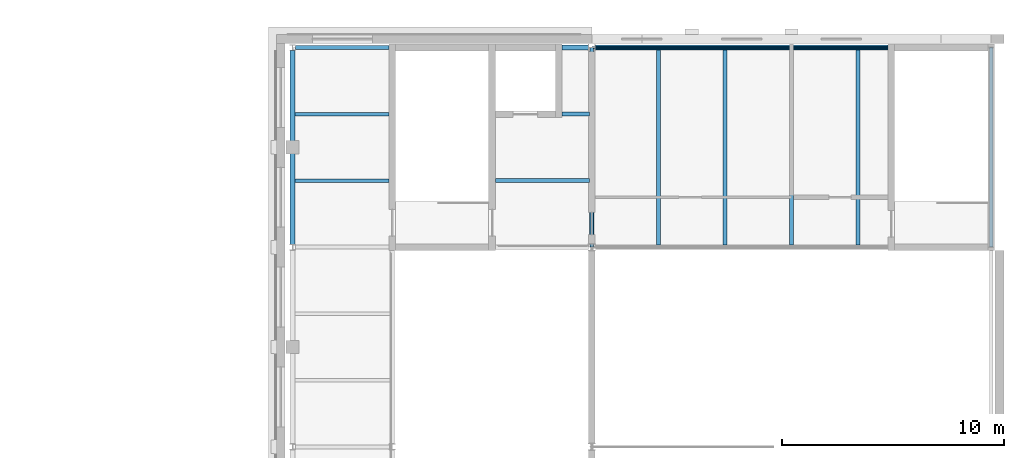
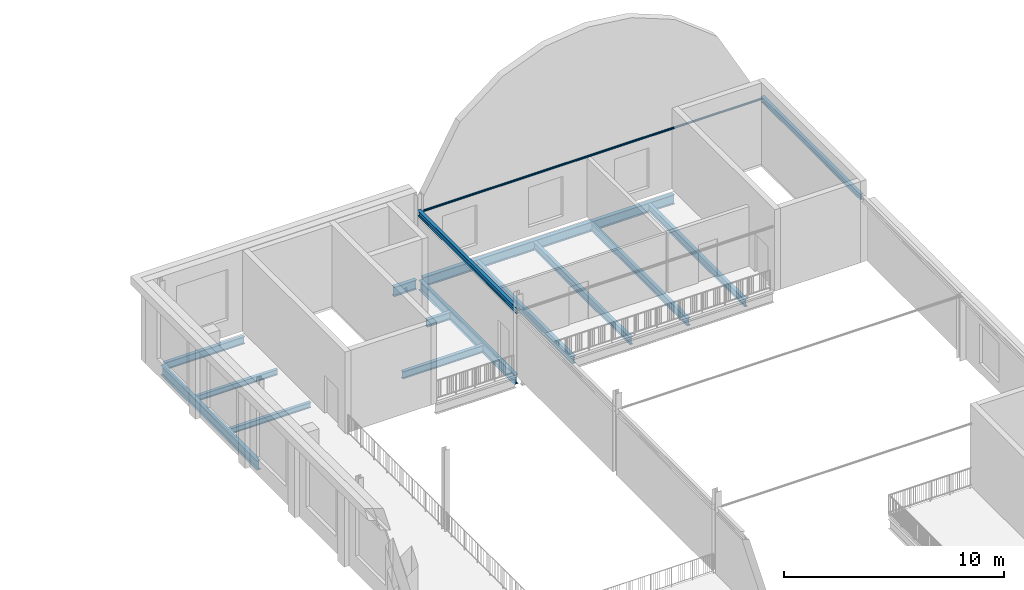
# One storey, part 16 of 59: 15 beams, 1 member.
"""IFC4 building model written with IfcOpenShell, lengths in metres."""

from ifc_helpers import new_model, si_unit, direction, frame, origin, origin_2d, place, context, subcontext, project, spatial, hollow_circle, i_section, extrude, material, material_profile, profile_set, type_object, element, save


model = new_model("IFC4")

# Units and contexts
model_context = context("Model", 3, precision=1e-05, world=origin(), true_north=direction((0.0, 1.0)))
body_context = subcontext(model_context, "Body", "Model", "MODEL_VIEW")
ifc_project = project(units=[si_unit("LENGTHUNIT", "METRE"), si_unit("AREAUNIT", "SQUARE_METRE"), si_unit("VOLUMEUNIT", "CUBIC_METRE"), si_unit("PLANEANGLEUNIT", "RADIAN"), si_unit("MASSUNIT", "GRAM", prefix="KILO")], contexts=[model_context])

# Site, building, storey
site_placement = place(None, origin())
site = spatial("IfcSite", under=ifc_project, at=site_placement, CompositionType="ELEMENT")
building_placement = place(site_placement, origin())
building = spatial("IfcBuilding", under=site, at=building_placement, Name="Hortulan Conservatory and Botanical Research Centre", CompositionType="ELEMENT")
storey_placement = place(building_placement, frame((0.0, 0.0, 10.5)))
storey = spatial("IfcBuildingStorey", under=building, at=storey_placement, Name="L02", CompositionType="ELEMENT", Elevation=10.5)

# Beams
ifc_material_1 = material(Name="Steel Grade 300PLUS (AS/NZS 3679.1, 280 MPa minimum yield)", Category="steel")
ifc_material_profile_1 = material_profile(ifc_material_1, i_section(OverallWidth=0.177978515625, OverallDepth=0.403076171875, WebThickness=0.007568359375, FlangeThickness=0.010986328125, FilletRadius=0.011474609375, at=origin_2d()), Name="410UB53.7")
ifc_profile_set_1 = profile_set([ifc_material_profile_1], Name="Steel Grade 300PLUS (AS/NZS 3679.1, 280 MPa minimum yield)")
beam_type_1 = type_object("IfcBeamType", Name="Primary Beam 410UB53.7", PredefinedType="BEAM", material=ifc_profile_set_1)
beam_1_placement = place(storey_placement, frame((76.6279296875, 72.0, -0.33154296875), z_axis=(1.0, 0.0, 0.0), x_axis=(0.0, 1.0, 0.0)))
element("IfcBeam", 1, at=beam_1_placement, inside=storey, type_object=beam_type_1, Name="410UB53.7 girder", PredefinedType="BEAM", context=body_context, shape_type="SweptSolid", body=[
    extrude(i_section(OverallWidth=0.177978515625, OverallDepth=0.403076171875, WebThickness=0.007568359375, FlangeThickness=0.010986328125, FilletRadius=0.011474609375, at=origin_2d()), origin(), (0.0, 0.0, 1.0), 4.22216796875),
])
ifc_material_profile_2 = material_profile(ifc_material_1, i_section(OverallWidth=0.208984375, OverallDepth=0.528076171875, WebThickness=0.009521484375, FlangeThickness=0.01318359375, FilletRadius=0.013916015625, at=origin_2d()), Name="530UB82.0")
ifc_profile_set_2 = profile_set([ifc_material_profile_2], Name="Steel Grade 300PLUS (AS/NZS 3679.1, 280 MPa minimum yield)")
beam_type_2 = type_object("IfcBeamType", Name="Primary Beam 530UB82.0", PredefinedType="BEAM", material=ifc_profile_set_2)
beam_2_placement = place(storey_placement, frame((76.5, 63.1298828125, -0.39404296875), z_axis=(0.0, 1.0, 0.0), x_axis=(-1.0, 0.0, 0.0)))
element("IfcBeam", 2, at=beam_2_placement, inside=storey, type_object=beam_type_2, Name="530UB82.0 girder", PredefinedType="BEAM", context=body_context, shape_type="SweptSolid", body=[
    extrude(i_section(OverallWidth=0.208984375, OverallDepth=0.528076171875, WebThickness=0.009521484375, FlangeThickness=0.01318359375, FilletRadius=0.013916015625, at=origin_2d()), origin(), (0.0, 0.0, 1.0), 8.740234375),
])
beam_3_placement = place(storey_placement, frame((88.64990234375, 72.0, -0.39404296875), z_axis=(1.0, 0.0, 0.0), x_axis=(0.0, 1.0, 0.0)))
element("IfcBeam", 3, at=beam_3_placement, inside=storey, type_object=beam_type_2, Name="530UB82.0 girder", PredefinedType="BEAM", context=body_context, shape_type="SweptSolid", body=[
    extrude(i_section(OverallWidth=0.208984375, OverallDepth=0.528076171875, WebThickness=0.009521484375, FlangeThickness=0.01318359375, FilletRadius=0.013916015625, at=origin_2d()), origin(), (0.0, 0.0, 1.0), 1.189697265625),
])
beam_4_placement = place(storey_placement, frame((90.160400390625, 72.0, -0.39404296875), z_axis=(1.0, 0.0, 0.0), x_axis=(0.0, 1.0, 0.0)))
element("IfcBeam", 4, at=beam_4_placement, inside=storey, type_object=beam_type_2, Name="530UB82.0 girder", PredefinedType="BEAM", context=body_context, shape_type="SweptSolid", body=[
    extrude(i_section(OverallWidth=0.208984375, OverallDepth=0.528076171875, WebThickness=0.009521484375, FlangeThickness=0.01318359375, FilletRadius=0.013916015625, at=origin_2d()), origin(), (0.0, 0.0, 1.0), 13.189697265625),
])
ifc_material_profile_3 = material_profile(ifc_material_1, i_section(OverallWidth=0.208984375, OverallDepth=0.532958984375, WebThickness=0.01025390625, FlangeThickness=0.015625, FilletRadius=0.013916015625, at=origin_2d()), Name="530UB92.4")
ifc_profile_set_3 = profile_set([ifc_material_profile_3], Name="Steel Grade 300PLUS (AS/NZS 3679.1, 280 MPa minimum yield)")
beam_type_3 = type_object("IfcBeamType", Name="Primary Beam 530UB92.4", PredefinedType="BEAM", material=ifc_profile_set_3)
beam_5_placement = place(storey_placement, frame((90.0, 63.160400390625, -0.396484375), z_axis=(0.0, 1.0, 0.0), x_axis=(-1.0, 0.0, 0.0)))
element("IfcBeam", 5, at=beam_5_placement, inside=storey, type_object=beam_type_3, Name="530UB92.4 girder", PredefinedType="BEAM", context=body_context, shape_type="SweptSolid", body=[
    extrude(i_section(OverallWidth=0.208984375, OverallDepth=0.532958984375, WebThickness=0.01025390625, FlangeThickness=0.015625, FilletRadius=0.013916015625, at=origin_2d()), origin(), (0.0, 0.0, 1.0), 8.68505859375),
])
ifc_material_profile_4 = material_profile(ifc_material_1, i_section(OverallWidth=0.1650390625, OverallDepth=0.303955078125, WebThickness=0.006103515625, FlangeThickness=0.01025390625, FilletRadius=0.011474609375, at=origin_2d()), Name="310UB40.4")
ifc_profile_set_4 = profile_set([ifc_material_profile_4], Name="Steel Grade 300PLUS (AS/NZS 3679.1, 280 MPa minimum yield)")
beam_type_4 = type_object("IfcBeamType", Name="Secondary Beam 310UB40.4", PredefinedType="JOIST", material=ifc_profile_set_4)
for number, where, z_axis, x_axis, name in (
    (6, (76.6044921875, 66.0, -0.281982421875), (1.0, 0.0, 0.0), (0.0, 1.0, 0.0), "310UB40.4 secondary beam"),
    (7, (76.6044921875, 69.0, -0.281982421875), (1.0, 0.0, 0.0), (0.0, 1.0, 0.0), "310UB40.4 secondary beam"),
):
    element("IfcBeam", number, at=place(storey_placement, frame(where, z_axis=z_axis, x_axis=x_axis)), inside=storey, type_object=beam_type_4, Name=name, PredefinedType="JOIST", context=body_context, shape_type="SweptSolid", body=[
        extrude(i_section(OverallWidth=0.1650390625, OverallDepth=0.303955078125, WebThickness=0.006103515625, FlangeThickness=0.01025390625, FilletRadius=0.011474609375, at=origin_2d()), origin(), (0.0, 0.0, 1.0), 4.24560546875),
    ])
ifc_material_profile_5 = material_profile(ifc_material_1, i_section(OverallWidth=0.177978515625, OverallDepth=0.406005859375, WebThickness=0.0078125, FlangeThickness=0.0126953125, FilletRadius=0.011474609375, at=origin_2d()), Name="410UB59.7")
ifc_profile_set_5 = profile_set([ifc_material_profile_5], Name="Steel Grade 300PLUS (AS/NZS 3679.1, 280 MPa minimum yield)")
beam_type_5 = type_object("IfcBeamType", Name="Secondary Beam 410UB59.7", PredefinedType="JOIST", material=ifc_profile_set_5)
beam_6_placement = place(storey_placement, frame((85.64990234375, 66.0, -0.3330078125), z_axis=(1.0, 0.0, 0.0), x_axis=(0.0, 1.0, 0.0)))
element("IfcBeam", 8, at=beam_6_placement, inside=storey, type_object=beam_type_5, Name="410UB59.7 secondary beam", PredefinedType="JOIST", context=body_context, shape_type="SweptSolid", body=[
    extrude(i_section(OverallWidth=0.177978515625, OverallDepth=0.406005859375, WebThickness=0.0078125, FlangeThickness=0.0126953125, FilletRadius=0.011474609375, at=origin_2d()), origin(), (0.0, 0.0, 1.0), 4.24560546875),
])
beam_7_placement = place(storey_placement, frame((88.64990234375, 69.0, -0.3330078125), z_axis=(1.0, 0.0, 0.0), x_axis=(0.0, 1.0, 0.0)))
element("IfcBeam", 9, at=beam_7_placement, inside=storey, type_object=beam_type_5, Name="410UB59.7 secondary beam", PredefinedType="JOIST", context=body_context, shape_type="SweptSolid", body=[
    extrude(i_section(OverallWidth=0.177978515625, OverallDepth=0.406005859375, WebThickness=0.0078125, FlangeThickness=0.0126953125, FilletRadius=0.011474609375, at=origin_2d()), origin(), (0.0, 0.0, 1.0), 1.24560546875),
])
for number, where, z_axis, x_axis, name in (
    (10, (93.0, 63.1044921875, -0.3330078125), (0.0, 1.0, 0.0), (-1.0, 0.0, 0.0), "410UB59.7 secondary beam"),
    (11, (96.0, 63.1044921875, -0.3330078125), (0.0, 1.0, 0.0), (-1.0, 0.0, 0.0), "410UB59.7 secondary beam"),
    (12, (99.0, 63.1044921875, -0.3330078125), (0.0, 1.0, 0.0), (-1.0, 0.0, 0.0), "410UB59.7 secondary beam"),
    (13, (102.0, 63.1044921875, -0.3330078125), (0.0, 1.0, 0.0), (-1.0, 0.0, 0.0), "410UB59.7 secondary beam"),
):
    element("IfcBeam", number, at=place(storey_placement, frame(where, z_axis=z_axis, x_axis=x_axis)), inside=storey, type_object=beam_type_5, Name=name, PredefinedType="JOIST", context=body_context, shape_type="SweptSolid", body=[
        extrude(i_section(OverallWidth=0.177978515625, OverallDepth=0.406005859375, WebThickness=0.0078125, FlangeThickness=0.0126953125, FilletRadius=0.011474609375, at=origin_2d()), origin(), (0.0, 0.0, 1.0), 8.791015625),
    ])
ifc_material_profile_6 = material_profile(ifc_material_1, i_section(OverallWidth=0.166015625, OverallDepth=0.306884765625, WebThickness=0.006591796875, FlangeThickness=0.01171875, FilletRadius=0.011474609375, at=origin_2d()), Name="310UB46.2")
ifc_profile_set_6 = profile_set([ifc_material_profile_6], Name="Steel Grade 300PLUS (AS/NZS 3679.1, 280 MPa minimum yield)")
beam_type_6 = type_object("IfcBeamType", Name="Vault Eaves Beam 310UB46.2", PredefinedType="BEAM", material=ifc_profile_set_6)
for number, where, z_axis, x_axis, name in (
    (14, (90.0, 63.0, 3.5), (0.0, 1.0, 0.0), (-1.0, 0.0, 0.0), "Vault eaves beam W bay 4"),
    (15, (108.0, 63.0, 3.5), (0.0, 1.0, 0.0), (-1.0, 0.0, 0.0), "Vault eaves beam E bay 4"),
):
    element("IfcBeam", number, at=place(storey_placement, frame(where, z_axis=z_axis, x_axis=x_axis)), inside=storey, type_object=beam_type_6, Name=name, PredefinedType="BEAM", context=body_context, shape_type="SweptSolid", body=[
        extrude(i_section(OverallWidth=0.166015625, OverallDepth=0.306884765625, WebThickness=0.006591796875, FlangeThickness=0.01171875, FilletRadius=0.011474609375, at=origin_2d()), origin(), (0.0, 0.0, 1.0), 9.0),
    ])

# Member
ifc_material_2 = material(Name="Steel Grade C350L0 (350 MPa, AS/NZS 1163)", Category="steel")
ifc_material_profile_7 = material_profile(ifc_material_2, hollow_circle(Radius=0.05712890625, WallThickness=0.00537109375, at=origin_2d()), Name="114.3x5.4CHS")
ifc_profile_set_7 = profile_set([ifc_material_profile_7], Name="Steel Grade C350L0 (350 MPa, AS/NZS 1163)")
member_type = type_object("IfcMemberType", Name="Vault Tie 114.3x5.4 CHS", PredefinedType="STRUT", material=ifc_profile_set_7)
member_placement = place(storey_placement, frame((90.0, 72.0, 3.5), z_axis=(1.0, 0.0, 0.0), x_axis=(0.0, 1.0, 0.0)))
element("IfcMember", 16, at=member_placement, inside=storey, type_object=member_type, Name="Vault tie 5", PredefinedType="STRUT", context=body_context, shape_type="SweptSolid", body=[
    extrude(hollow_circle(Radius=0.05712890625, WallThickness=0.00537109375, at=origin_2d()), origin(), (0.0, 0.0, 1.0), 18.0),
])

save(model, "model.ifc")
